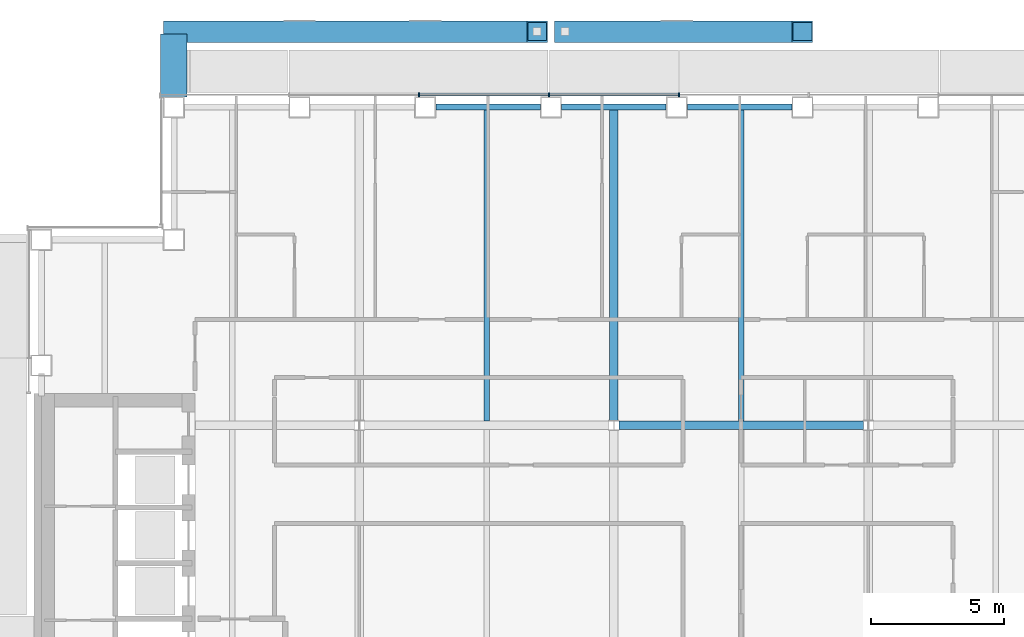
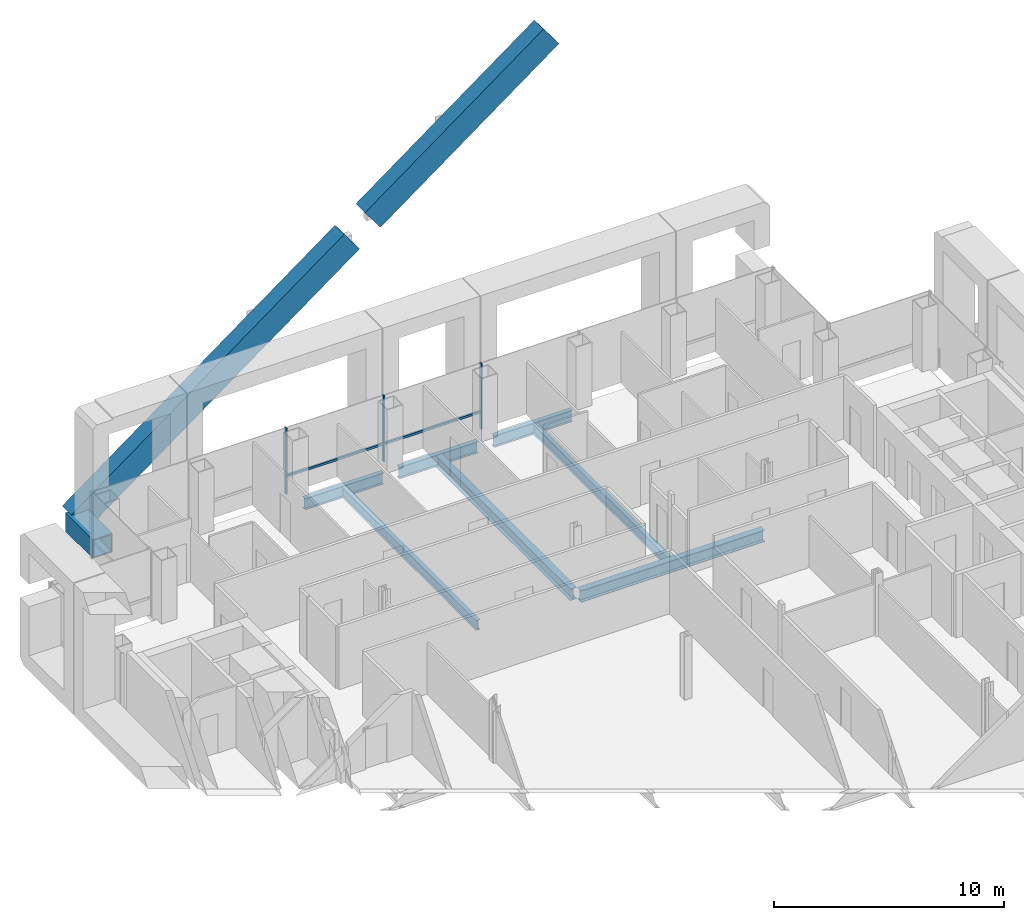
# One storey, part 9 of 22: 8 beams, 7 members, 1 element without a shape of its own.
"""IFC4 building model written with IfcOpenShell, lengths in metres."""

from ifc_helpers import new_model, si_unit, direction, frame, origin, origin_2d, place, context, subcontext, project, spatial, rectangle, hollow_rectangle, i_section, extrude, material, material_profile, profile_set, type_object, element, aggregate, save


model = new_model("IFC4")

# Units and contexts
model_context = context("Model", 3, precision=1e-05, world=origin(), true_north=direction((0.0, 1.0)))
body_context = subcontext(model_context, "Body", "Model", "MODEL_VIEW")
ifc_project = project(units=[si_unit("LENGTHUNIT", "METRE"), si_unit("AREAUNIT", "SQUARE_METRE"), si_unit("VOLUMEUNIT", "CUBIC_METRE"), si_unit("PLANEANGLEUNIT", "RADIAN"), si_unit("MASSUNIT", "GRAM", prefix="KILO")], contexts=[model_context])

# Site, building, storey
site_placement = place(None, origin())
site = spatial("IfcSite", under=ifc_project, at=site_placement, CompositionType="ELEMENT")
building_placement = place(site_placement, origin())
building = spatial("IfcBuilding", under=site, at=building_placement, Name="Cobrizo Arcos Hotel Tower", CompositionType="ELEMENT")
storey_placement = place(building_placement, frame((0.0, 0.0, 155.0)))
storey = spatial("IfcBuildingStorey", under=building, at=storey_placement, Name="L39", CompositionType="ELEMENT", Elevation=155.0)

# Beam
ifc_material_1 = material(Name="Steel ASTM A572 Grade 50", Category="steel")
ifc_material_profile_1 = material_profile(ifc_material_1, hollow_rectangle(XDim=1.0, YDim=1.0, WallThickness=0.06005859375, at=origin_2d()), Name="BOX 1000X1000X60")
ifc_profile_set_1 = profile_set([ifc_material_profile_1], Name="Steel ASTM A572 Grade 50")
beam_type_1 = type_object("IfcBeamType", Name="BOX 1000X1000X60 brace connector strut", PredefinedType="BEAM", material=ifc_profile_set_1)
beam_1_placement = place(storey_placement, frame((-16.60009765625, 21.989990234375, 0.5), z_axis=(0.0, 1.0, 0.0), x_axis=(-1.0, 0.0, 0.0)))
element("IfcBeam", 1, at=beam_1_placement, inside=storey, type_object=beam_type_1, Name="Perimeter brace stub BS1, zone Z3, north face, offset -16.60 m, L39", PredefinedType="BEAM", context=body_context, shape_type="SweptSolid", body=[
    extrude(hollow_rectangle(XDim=1.0, YDim=1.0, WallThickness=0.06005859375, at=origin_2d()), origin(), (0.0, 0.0, 1.0), 2.380126953125),
])

# Members
ifc_material_profile_2 = material_profile(ifc_material_1, hollow_rectangle(XDim=0.800048828125, YDim=1.300048828125, WallThickness=0.06005859375, at=origin_2d()), Name="BOX 800X1300X60")
ifc_profile_set_2 = profile_set([ifc_material_profile_2], Name="Steel ASTM A572 Grade 50")
member_type_1 = type_object("IfcMemberType", Name="BOX 800X1300X60 perimeter brace", PredefinedType="BRACE", material=ifc_profile_set_2)
member_1_placement = place(storey_placement, frame((-16.60009765625, 24.449951171875, 0.5), z_axis=(0.804630166974, 0.0, 0.593776299961), x_axis=(0.0, 1.0, 0.0)))
element("IfcMember", 2, at=member_1_placement, inside=storey, type_object=member_type_1, Name="Perimeter brace PBR3, zone Z3, north face, no. 07", PredefinedType="BRACE", context=body_context, shape_type="SweptSolid", body=[
    extrude(hollow_rectangle(XDim=0.800048828125, YDim=1.300048828125, WallThickness=0.06005859375, at=origin_2d()), origin(), (0.0, 0.0, 1.0), 17.033447265625),
])
member_2_placement = place(storey_placement, frame((-1.84814453125, 24.449951171875, 11.385986328125), z_axis=(0.804620954099, 0.0, 0.593788784186), x_axis=(0.0, 1.0, 0.0)))
element("IfcMember", 3, at=member_2_placement, inside=storey, type_object=member_type_1, Name="Perimeter brace PBR3, zone Z3, north face, no. 07b", PredefinedType="BRACE", context=body_context, shape_type="SweptSolid", body=[
    extrude(hollow_rectangle(XDim=0.800048828125, YDim=1.300048828125, WallThickness=0.06005859375, at=origin_2d()), origin(), (0.0, 0.0, 1.0), 11.138671875),
])

# Curtain wall, members
ifc_material_2 = material(Name="Aluminium 6063-T6 anodised bronze", Category="aluminium")
curtain_wall_type = type_object("IfcCurtainWallType", Name="CW-A guest facade", PredefinedType="NOTDEFINED", material=ifc_material_2)
curtain_wall_placement = place(storey_placement, origin())
curtain_wall = element("IfcCurtainWall", 4, at=curtain_wall_placement, inside=storey, type_object=curtain_wall_type, Name="CW-A L39 N face", PredefinedType="NOTDEFINED")
ifc_material_profile_3 = material_profile(ifc_material_2, rectangle(XDim=0.14990234375, YDim=0.06005859375, at=origin_2d()), Name="CW-A mullion 150x60")
ifc_profile_set_3 = profile_set([ifc_material_profile_3], Name="Aluminium 6063-T6 anodised bronze")
member_type_2 = type_object("IfcMemberType", Name="CW-A mullion 150x60", PredefinedType="MULLION", material=ifc_profile_set_3)
member_3_placement = place(storey_placement, frame((2.449951171875, 22.074951171875, 0.0), z_axis=(0.0, 0.0, 1.0), x_axis=(0.0, 1.0, 0.0)))
member_3 = element("IfcMember", 5, at=member_3_placement, type_object=member_type_2, Name="CW-A mullion 4", PredefinedType="MULLION", context=body_context, shape_type="SweptSolid", body=[
    extrude(rectangle(XDim=0.14990234375, YDim=0.06005859375, at=origin_2d()), origin(), (0.0, 0.0, 1.0), 3.5),
])
member_4_placement = place(storey_placement, frame((-2.449951171875, 22.074951171875, 0.0), z_axis=(0.0, 0.0, 1.0), x_axis=(0.0, 1.0, 0.0)))
member_4 = element("IfcMember", 6, at=member_4_placement, type_object=member_type_2, Name="CW-A mullion 5", PredefinedType="MULLION", context=body_context, shape_type="SweptSolid", body=[
    extrude(rectangle(XDim=0.14990234375, YDim=0.06005859375, at=origin_2d()), origin(), (0.0, 0.0, 1.0), 3.5),
])
member_5_placement = place(storey_placement, frame((-7.35009765625, 22.074951171875, 0.0), z_axis=(0.0, 0.0, 1.0), x_axis=(0.0, 1.0, 0.0)))
member_5 = element("IfcMember", 7, at=member_5_placement, type_object=member_type_2, Name="CW-A mullion 6", PredefinedType="MULLION", context=body_context, shape_type="SweptSolid", body=[
    extrude(rectangle(XDim=0.14990234375, YDim=0.06005859375, at=origin_2d()), origin(), (0.0, 0.0, 1.0), 3.5),
])
ifc_material_profile_4 = material_profile(ifc_material_2, rectangle(XDim=0.10009765625, YDim=0.1201171875, at=origin_2d()), Name="CW-A transom 120x100")
ifc_profile_set_4 = profile_set([ifc_material_profile_4], Name="Aluminium 6063-T6 anodised bronze")
member_type_3 = type_object("IfcMemberType", Name="CW-A transom 120x100", PredefinedType="USERDEFINED", material=ifc_profile_set_4)
member_6_placement = place(storey_placement, frame((2.419921875, 22.074951171875, 0.929931640625), z_axis=(-1.0, 0.0, 0.0), x_axis=(0.0, -1.0, 0.0)))
member_6 = element("IfcMember", 8, at=member_6_placement, type_object=member_type_3, Name="CW-A transom 1414", ObjectType="TRANSOM", PredefinedType="USERDEFINED", context=body_context, shape_type="SweptSolid", body=[
    extrude(rectangle(XDim=0.10009765625, YDim=0.1201171875, at=origin_2d()), origin(), (0.0, 0.0, 1.0), 4.83984375),
])
member_7_placement = place(storey_placement, frame((-2.47998046875, 22.074951171875, 0.929931640625), z_axis=(-1.0, 0.0, 0.0), x_axis=(0.0, -1.0, 0.0)))
member_7 = element("IfcMember", 9, at=member_7_placement, type_object=member_type_3, Name="CW-A transom 1415", ObjectType="TRANSOM", PredefinedType="USERDEFINED", context=body_context, shape_type="SweptSolid", body=[
    extrude(rectangle(XDim=0.10009765625, YDim=0.1201171875, at=origin_2d()), origin(), (0.0, 0.0, 1.0), 4.840087890625),
])
aggregate(curtain_wall, [member_3, member_4, member_5, member_6, member_7])

# Beams
ifc_material_3 = material(Name="Steel ASTM A992 Grade 50", Category="steel")
ifc_material_profile_5 = material_profile(ifc_material_3, i_section(OverallWidth=0.209228515625, OverallDepth=0.533447265625, WebThickness=0.01025390625, FlangeThickness=0.015625, at=origin_2d()), Name="W21X62")
ifc_profile_set_5 = profile_set([ifc_material_profile_5], Name="Steel ASTM A992 Grade 50")
beam_type_2 = type_object("IfcBeamType", Name="W21X62 joist", PredefinedType="JOIST", material=ifc_profile_set_5)
for number, where, z_axis, x_axis, name in (
    (10, (-4.800048828125, 9.763916015625, -0.416748046875), (0.0, 1.0, 0.0), (-1.0, 0.0, 0.0), "Floor joist J1, L39, no. 010"),
    (11, (4.800048828125, 9.763916015625, -0.416748046875), (0.0, 1.0, 0.0), (-1.0, 0.0, 0.0), "Floor joist J1, L39, no. 014"),
):
    element("IfcBeam", number, at=place(storey_placement, frame(where, z_axis=z_axis, x_axis=x_axis)), inside=storey, type_object=beam_type_2, Name=name, PredefinedType="JOIST", context=body_context, shape_type="SweptSolid", body=[
        extrude(i_section(OverallWidth=0.209228515625, OverallDepth=0.533447265625, WebThickness=0.01025390625, FlangeThickness=0.015625, at=origin_2d()), origin(), (0.0, 0.0, 1.0), 11.74609375),
    ])
ifc_material_profile_6 = material_profile(ifc_material_3, i_section(OverallWidth=0.32763671875, OverallDepth=0.622314453125, WebThickness=0.015380859375, FlangeThickness=0.0244140625, at=origin_2d()), Name="W24X131")
ifc_profile_set_6 = profile_set([ifc_material_profile_6], Name="Steel ASTM A992 Grade 50")
beam_type_3 = type_object("IfcBeamType", Name="W24X131 girder", PredefinedType="BEAM", material=ifc_profile_set_6)
beam_2_placement = place(storey_placement, frame((0.186767578125, 9.60009765625, -0.461181640625), z_axis=(1.0, 0.0, 0.0), x_axis=(0.0, 1.0, 0.0)))
element("IfcBeam", 12, at=beam_2_placement, inside=storey, type_object=beam_type_3, Name="Floor girder G1, L39, no. 011", PredefinedType="BEAM", context=body_context, shape_type="SweptSolid", body=[
    extrude(i_section(OverallWidth=0.32763671875, OverallDepth=0.622314453125, WebThickness=0.015380859375, FlangeThickness=0.0244140625, at=origin_2d()), origin(), (0.0, 0.0, 1.0), 9.2265625),
])
beam_3_placement = place(storey_placement, frame((0.0, 9.78662109375, -0.461181640625), z_axis=(0.0, 1.0, 0.0), x_axis=(-1.0, 0.0, 0.0)))
element("IfcBeam", 13, at=beam_3_placement, inside=storey, type_object=beam_type_3, Name="Floor girder G1, L39, no. 020", PredefinedType="BEAM", context=body_context, shape_type="SweptSolid", body=[
    extrude(i_section(OverallWidth=0.32763671875, OverallDepth=0.622314453125, WebThickness=0.015380859375, FlangeThickness=0.0244140625, at=origin_2d()), origin(), (0.0, 0.0, 1.0), 11.723388671875),
])
ifc_material_profile_7 = material_profile(ifc_material_3, i_section(OverallWidth=0.228271484375, OverallDepth=0.607177734375, WebThickness=0.01123046875, FlangeThickness=0.017333984375, at=origin_2d()), Name="W24X76")
ifc_profile_set_7 = profile_set([ifc_material_profile_7], Name="Steel ASTM A992 Grade 50")
beam_type_4 = type_object("IfcBeamType", Name="W24X76 spandrel", PredefinedType="SPANDREL", material=ifc_profile_set_7)
beam_4_placement = place(storey_placement, frame((6.714111328125, 21.60009765625, -0.45361328125), z_axis=(-1.0, 0.0, 0.0), x_axis=(0.0, -1.0, 0.0)))
element("IfcBeam", 14, at=beam_4_placement, inside=storey, type_object=beam_type_4, Name="Spandrel beam W24X76, L39, no. 018", PredefinedType="SPANDREL", context=body_context, shape_type="SweptSolid", body=[
    extrude(i_section(OverallWidth=0.228271484375, OverallDepth=0.607177734375, WebThickness=0.01123046875, FlangeThickness=0.017333984375, at=origin_2d()), origin(), (0.0, 0.0, 1.0), 3.943115234375),
])
beam_5_placement = place(storey_placement, frame((1.970947265625, 21.60009765625, -0.45361328125), z_axis=(-1.0, 0.0, 0.0), x_axis=(0.0, -1.0, 0.0)))
element("IfcBeam", 15, at=beam_5_placement, inside=storey, type_object=beam_type_4, Name="Spandrel beam W24X76, L39, no. 019", PredefinedType="SPANDREL", context=body_context, shape_type="SweptSolid", body=[
    extrude(i_section(OverallWidth=0.228271484375, OverallDepth=0.607177734375, WebThickness=0.01123046875, FlangeThickness=0.017333984375, at=origin_2d()), origin(), (0.0, 0.0, 1.0), 3.94189453125),
])
beam_6_placement = place(storey_placement, frame((-2.77099609375, 21.60009765625, -0.45361328125), z_axis=(-1.0, 0.0, 0.0), x_axis=(0.0, -1.0, 0.0)))
element("IfcBeam", 16, at=beam_6_placement, inside=storey, type_object=beam_type_4, Name="Spandrel beam W24X76, L39, no. 020", PredefinedType="SPANDREL", context=body_context, shape_type="SweptSolid", body=[
    extrude(i_section(OverallWidth=0.228271484375, OverallDepth=0.607177734375, WebThickness=0.01123046875, FlangeThickness=0.017333984375, at=origin_2d()), origin(), (0.0, 0.0, 1.0), 3.943115234375),
])

save(model, "model.ifc")
